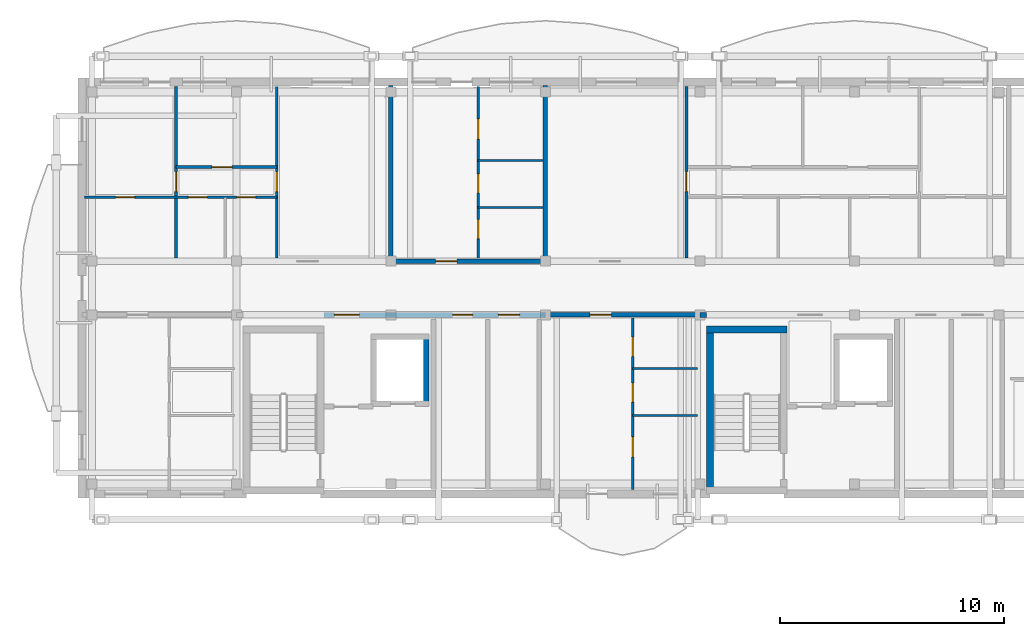
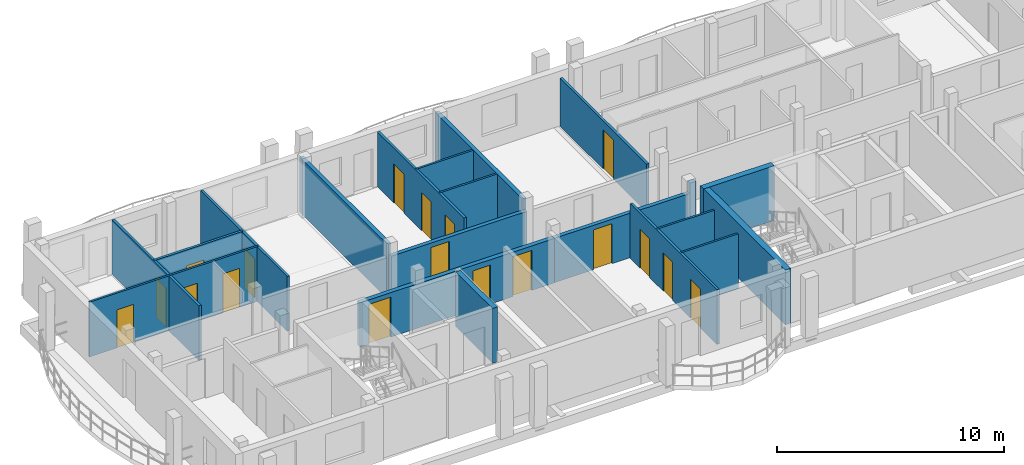
# One storey, part 21 of 44: 20 walls, 18 doors, 18 openings.
"""IFC4 building model written with IfcOpenShell, lengths in metres."""

from ifc_helpers import new_model, si_unit, direction, frame, frame_2d, origin, origin_with_axes, place, context, subcontext, project, spatial, rectangle, extrude, material, layer, layer_set, type_object, element, fill, save


model = new_model("IFC4")

# Units and contexts
model_context = context("Model", 3, precision=1e-05, world=origin(), true_north=direction((0.0, 1.0)))
body_context = subcontext(model_context, "Body", "Model", "MODEL_VIEW")
ifc_project = project(units=[si_unit("LENGTHUNIT", "METRE"), si_unit("AREAUNIT", "SQUARE_METRE"), si_unit("VOLUMEUNIT", "CUBIC_METRE"), si_unit("PLANEANGLEUNIT", "RADIAN"), si_unit("MASSUNIT", "GRAM", prefix="KILO")], contexts=[model_context])

# Site, building, storey
site_placement = place(None, origin())
site = spatial("IfcSite", under=ifc_project, at=site_placement, CompositionType="ELEMENT")
building_placement = place(site_placement, origin())
building = spatial("IfcBuilding", under=site, at=building_placement, Name="Zavelmont Quarter", CompositionType="ELEMENT")
storey_placement = place(building_placement, frame((0.0, 0.0, 20.800048828125)))
storey = spatial("IfcBuildingStorey", under=building, at=storey_placement, Name="L06", CompositionType="ELEMENT", Elevation=20.800048828125)

# Walls
ifc_material_1 = material(Name="Calcium-silicate blockwork and acoustic plaster", Category="masonry")
ifc_layer_1 = layer(ifc_material_1, 0.199951171875)
ifc_layer_set_1 = layer_set([ifc_layer_1], Name="Calcium-silicate blockwork and acoustic plaster")
wall_type_1 = type_object("IfcWallType", Name="IW01", PredefinedType="PARTITIONING", material=ifc_layer_set_1)
for number, where, z_axis, x_axis, name in (
    (1, (13.800048828125, 108.14990234375, 0.0), (0.0, 0.0, 1.0), (0.0, 1.0, 0.0), "L06 Inter-dwelling compartment wall IW01"),
    (2, (20.699951171875, 108.14990234375, 0.0), (0.0, 0.0, 1.0), (0.0, 1.0, 0.0), "L06 Inter-dwelling compartment wall IW01"),
):
    element("IfcWall", number, at=place(storey_placement, frame(where, z_axis=z_axis, x_axis=x_axis)), inside=storey, type_object=wall_type_1, Name=name, PredefinedType="PARTITIONING", context=body_context, shape_type="SweptSolid", body=[
        extrude(rectangle(XDim=7.7001953125, YDim=0.199951171875, at=frame_2d((3.85009765625, 0.0))), origin(), (0.0, 0.0, 1.0), 2.949951171875),
    ])

# Wall, opening, door
wall_1_placement = place(storey_placement, frame((13.800048828125, 108.0, 0.0), z_axis=(0.0, 0.0, 1.0), x_axis=(1.0, 0.0, 0.0)))
wall_1 = element("IfcWall", 3, at=wall_1_placement, inside=storey, type_object=wall_type_1, Name="L06 Corridor compartment wall IW01", PredefinedType="PARTITIONING", context=body_context, shape_type="SweptSolid", body=[
    extrude(rectangle(XDim=6.89990234375, YDim=0.199951171875, at=frame_2d((3.449951171875, 0.0))), origin(), (0.0, 0.0, 1.0), 2.389892578125),
])
opening_1_placement = place(wall_1_placement, frame((2.0, 0.0, 0.0)))
opening_1 = element("IfcOpeningElement", 4, at=opening_1_placement, cuts=wall_1, Name="Opening DR02", PredefinedType="OPENING", context=body_context, shape_type="SweptSolid", body=[
    extrude(rectangle(XDim=0.949951171875, YDim=2.14990234375, at=frame_2d((0.47509765625, 1.074951171875))), frame((0.0, 0.11181640625, 0.0), z_axis=(0.0, -1.0, 0.0), x_axis=(1.0, 0.0, 0.0)), (0.0, 0.0, 1.0), 0.223876953125),
])
ifc_material_2 = material(Name="Solid-core oak fire leaf in steel frame", Category="steel")
door_type_1 = type_object("IfcDoorType", Name="DR02", OperationType="NOTDEFINED", PredefinedType="DOOR", material=ifc_material_2)
door_1_placement = place(opening_1_placement, origin_with_axes())
door_1 = element("IfcDoor", 5, at=door_1_placement, inside=storey, type_object=door_type_1, Name="L06 door DR02", OperationType="SINGLE_SWING_LEFT", OverallHeight=2.14990234375, OverallWidth=0.949951171875, PredefinedType="DOOR", context=body_context, shape_type="SweptSolid", body=[
    extrude(rectangle(XDim=0.949951171875, YDim=2.14990234375, at=frame_2d((0.47509765625, 1.074951171875))), frame((0.0, 0.02490234375, 0.0), z_axis=(0.0, -1.0, 0.0), x_axis=(1.0, 0.0, 0.0)), (0.0, 0.0, 1.0), 0.050048828125),
])
fill(opening_1, door_1)

wall_2_placement = place(storey_placement, frame((20.699951171875, 105.60009765625, 0.0), z_axis=(0.0, 0.0, 1.0), x_axis=(1.0, 0.0, 0.0)))
wall_2 = element("IfcWall", 6, at=wall_2_placement, inside=storey, type_object=wall_type_1, Name="L06 Corridor compartment wall IW01", PredefinedType="PARTITIONING", context=body_context, shape_type="SweptSolid", body=[
    extrude(rectangle(XDim=6.900146484375, YDim=0.199951171875, at=frame_2d((3.4501953125, 0.0))), origin(), (0.0, 0.0, 1.0), 2.389892578125),
])
opening_2_placement = place(wall_2_placement, frame((2.0, 0.0, 0.0)))
opening_2 = element("IfcOpeningElement", 7, at=opening_2_placement, cuts=wall_2, Name="Opening DR02", PredefinedType="OPENING", context=body_context, shape_type="SweptSolid", body=[
    extrude(rectangle(XDim=0.949951171875, YDim=2.14990234375, at=frame_2d((0.47509765625, 1.074951171875))), frame((0.0, 0.11181640625, 0.0), z_axis=(0.0, -1.0, 0.0), x_axis=(1.0, 0.0, 0.0)), (0.0, 0.0, 1.0), 0.223876953125),
])
door_2_placement = place(opening_2_placement, frame((0.949951171875, 0.0, 0.0), z_axis=(0.0, 0.0, 1.0), x_axis=(-1.0, 0.0, 0.0)))
door_2 = element("IfcDoor", 8, at=door_2_placement, inside=storey, type_object=door_type_1, Name="L06 door DR02", OperationType="SINGLE_SWING_LEFT", OverallHeight=2.14990234375, OverallWidth=0.949951171875, PredefinedType="DOOR", context=body_context, shape_type="SweptSolid", body=[
    extrude(rectangle(XDim=0.949951171875, YDim=2.14990234375, at=frame_2d((0.47509765625, 1.074951171875))), frame((0.0, 0.02490234375, 0.0), z_axis=(0.0, -1.0, 0.0), x_axis=(1.0, 0.0, 0.0)), (0.0, 0.0, 1.0), 0.050048828125),
])
fill(opening_2, door_2)

# Wall, openings, doors
ifc_material_3 = material(Name="Reinforced masonry fire compartment wall", Category="masonry")
ifc_layer_2 = layer(ifc_material_3, 0.22509765625)
ifc_layer_set_2 = layer_set([ifc_layer_2], Name="Reinforced masonry fire compartment wall")
wall_type_2 = type_object("IfcWallType", Name="IW02", PredefinedType="PARTITIONING", material=ifc_layer_set_2)
wall_3_placement = place(storey_placement, frame((10.800048828125, 105.60009765625, 0.0), z_axis=(0.0, 0.0, 1.0), x_axis=(1.0, 0.0, 0.0)))
wall_3 = element("IfcWall", 9, at=wall_3_placement, inside=storey, type_object=wall_type_2, Name="L06 Core corridor fire wall IW02", PredefinedType="PARTITIONING", context=body_context, shape_type="SweptSolid", body=[
    extrude(rectangle(XDim=9.89990234375, YDim=0.22509765625, at=frame_2d((4.949951171875, 0.0))), origin(), (0.0, 0.0, 1.0), 2.389892578125),
])
opening_3_placement = place(wall_3_placement, frame((0.47509765625, 0.0, 0.0)))
opening_3 = element("IfcOpeningElement", 10, at=opening_3_placement, cuts=wall_3, Name="Opening DR10", PredefinedType="OPENING", context=body_context, shape_type="SweptSolid", body=[
    extrude(rectangle(XDim=1.10009765625, YDim=2.14990234375, at=frame_2d((0.550048828125, 1.074951171875))), frame((0.0, 0.12451171875, 0.0), z_axis=(0.0, -1.0, 0.0), x_axis=(1.0, 0.0, 0.0)), (0.0, 0.0, 1.0), 0.2490234375),
])
opening_4_placement = place(wall_3_placement, frame((5.75, 0.0, 0.0)))
opening_4 = element("IfcOpeningElement", 11, at=opening_4_placement, cuts=wall_3, Name="Opening DR11", PredefinedType="OPENING", context=body_context, shape_type="SweptSolid", body=[
    extrude(rectangle(XDim=0.89990234375, YDim=2.10009765625, at=frame_2d((0.449951171875, 1.050048828125))), frame((0.0, 0.12451171875, 0.0), z_axis=(0.0, -1.0, 0.0), x_axis=(1.0, 0.0, 0.0)), (0.0, 0.0, 1.0), 0.2490234375),
])
opening_5_placement = place(wall_3_placement, frame((7.800048828125, 0.0, 0.0)))
opening_5 = element("IfcOpeningElement", 12, at=opening_5_placement, cuts=wall_3, Name="Opening DR02", PredefinedType="OPENING", context=body_context, shape_type="SweptSolid", body=[
    extrude(rectangle(XDim=0.949951171875, YDim=2.14990234375, at=frame_2d((0.47509765625, 1.074951171875))), frame((0.0, 0.12451171875, 0.0), z_axis=(0.0, -1.0, 0.0), x_axis=(1.0, 0.0, 0.0)), (0.0, 0.0, 1.0), 0.2490234375),
])
door_3_placement = place(opening_5_placement, origin_with_axes())
door_3 = element("IfcDoor", 13, at=door_3_placement, inside=storey, type_object=door_type_1, Name="Auxiliary store corridor door", OperationType="SINGLE_SWING_RIGHT", OverallHeight=2.14990234375, OverallWidth=0.949951171875, PredefinedType="DOOR", context=body_context, shape_type="SweptSolid", body=[
    extrude(rectangle(XDim=0.949951171875, YDim=2.14990234375, at=frame_2d((0.47509765625, 1.074951171875))), frame((0.0, 0.02490234375, 0.0), z_axis=(0.0, -1.0, 0.0), x_axis=(1.0, 0.0, 0.0)), (0.0, 0.0, 1.0), 0.050048828125),
])
fill(opening_5, door_3)
ifc_material_4 = material(Name="Painted steel lobby fire door", Category="steel")
door_type_2 = type_object("IfcDoorType", Name="DR10", OperationType="NOTDEFINED", PredefinedType="DOOR", material=ifc_material_4)
door_4_placement = place(opening_3_placement, frame((1.10009765625, 0.0, 0.0), z_axis=(0.0, 0.0, 1.0), x_axis=(-1.0, 0.0, 0.0)))
door_4 = element("IfcDoor", 14, at=door_4_placement, inside=storey, type_object=door_type_2, Name="Core vestibule fire door", OperationType="SINGLE_SWING_LEFT", OverallHeight=2.14990234375, OverallWidth=1.10009765625, PredefinedType="DOOR", context=body_context, shape_type="SweptSolid", body=[
    extrude(rectangle(XDim=1.10009765625, YDim=2.14990234375, at=frame_2d((0.550048828125, 1.074951171875))), frame((0.0, 0.02490234375, 0.0), z_axis=(0.0, -1.0, 0.0), x_axis=(1.0, 0.0, 0.0)), (0.0, 0.0, 1.0), 0.050048828125),
])
fill(opening_3, door_4)
ifc_material_5 = material(Name="Painted steel service-riser fire door", Category="steel")
door_type_3 = type_object("IfcDoorType", Name="DR11", OperationType="NOTDEFINED", PredefinedType="DOOR", material=ifc_material_5)
door_5_placement = place(opening_4_placement, origin_with_axes())
door_5 = element("IfcDoor", 15, at=door_5_placement, inside=storey, type_object=door_type_3, Name="Service riser fire door", OperationType="SINGLE_SWING_LEFT", OverallHeight=2.10009765625, OverallWidth=0.89990234375, PredefinedType="DOOR", context=body_context, shape_type="SweptSolid", body=[
    extrude(rectangle(XDim=0.89990234375, YDim=2.10009765625, at=frame_2d((0.449951171875, 1.050048828125))), frame((0.0, 0.02490234375, 0.0), z_axis=(0.0, -1.0, 0.0), x_axis=(1.0, 0.0, 0.0)), (0.0, 0.0, 1.0), 0.050048828125),
])
fill(opening_4, door_5)

# Wall
wall_4_placement = place(storey_placement, frame((27.60009765625, 105.60009765625, 0.0), z_axis=(0.0, 0.0, 1.0), x_axis=(1.0, 0.0, 0.0)))
element("IfcWall", 16, at=wall_4_placement, inside=storey, type_object=wall_type_2, Name="L06 Core corridor wall IW02", PredefinedType="PARTITIONING", context=body_context, shape_type="SweptSolid", body=[
    extrude(rectangle(XDim=0.2998046875, YDim=0.22509765625, at=frame_2d((0.14990234375, 0.0))), origin(), (0.0, 0.0, 1.0), 2.949951171875),
])

# Wall, opening, door
ifc_material_6 = material(Name="Double gypsum board on acoustic steel stud", Category="steel")
ifc_layer_3 = layer(ifc_material_6, 0.125)
ifc_layer_set_3 = layer_set([ifc_layer_3], Name="Double gypsum board on acoustic steel stud")
wall_type_3 = type_object("IfcWallType", Name="IW03", PredefinedType="PARTITIONING", material=ifc_layer_set_3)
wall_5_placement = place(storey_placement, frame((8.699951171875, 108.14990234375, 0.0), z_axis=(0.0, 0.0, 1.0), x_axis=(0.0, 1.0, 0.0)))
wall_5 = element("IfcWall", 17, at=wall_5_placement, inside=storey, type_object=wall_type_3, Name="L06 Partition IW03", PredefinedType="PARTITIONING", context=body_context, shape_type="SweptSolid", body=[
    extrude(rectangle(XDim=7.650146484375, YDim=0.125, at=frame_2d((3.8251953125, 0.0))), origin(), (0.0, 0.0, 1.0), 2.949951171875),
])
opening_6_placement = place(wall_5_placement, frame((2.949951171875, 0.0, 0.0)))
opening_6 = element("IfcOpeningElement", 18, at=opening_6_placement, cuts=wall_5, Name="Opening DR05", PredefinedType="OPENING", context=body_context, shape_type="SweptSolid", body=[
    extrude(rectangle(XDim=0.89990234375, YDim=2.10009765625, at=frame_2d((0.449951171875, 1.050048828125))), frame((0.0, 0.074462890625, 0.0), z_axis=(0.0, -1.0, 0.0), x_axis=(1.0, 0.0, 0.0)), (0.0, 0.0, 1.0), 0.14892578125),
])
ifc_material_7 = material(Name="Engineered oak flush interior door")
door_type_4 = type_object("IfcDoorType", Name="DR05", OperationType="NOTDEFINED", PredefinedType="DOOR", material=ifc_material_7)
door_6_placement = place(opening_6_placement, frame((0.89990234375, 0.0, 0.0), z_axis=(0.0, 0.0, 1.0), x_axis=(-1.0, 0.0, 0.0)))
door_6 = element("IfcDoor", 19, at=door_6_placement, inside=storey, type_object=door_type_4, Name="L06 door DR05", OperationType="SINGLE_SWING_LEFT", OverallHeight=2.10009765625, OverallWidth=0.89990234375, PredefinedType="DOOR", context=body_context, shape_type="SweptSolid", body=[
    extrude(rectangle(XDim=0.89990234375, YDim=2.10009765625, at=frame_2d((0.449951171875, 1.050048828125))), frame((0.0, 0.02490234375, 0.0), z_axis=(0.0, -1.0, 0.0), x_axis=(1.0, 0.0, 0.0)), (0.0, 0.0, 1.0), 0.050048828125),
])
fill(opening_6, door_6)

wall_6_placement = place(storey_placement, frame((4.199951171875, 108.14990234375, 0.0), z_axis=(0.0, 0.0, 1.0), x_axis=(0.0, 1.0, 0.0)))
wall_6 = element("IfcWall", 20, at=wall_6_placement, inside=storey, type_object=wall_type_3, Name="L06 Partition IW03", PredefinedType="PARTITIONING", context=body_context, shape_type="SweptSolid", body=[
    extrude(rectangle(XDim=7.650146484375, YDim=0.125, at=frame_2d((3.8251953125, 0.0))), origin(), (0.0, 0.0, 1.0), 2.949951171875),
])
opening_7_placement = place(wall_6_placement, frame((2.949951171875, 0.0, 0.0)))
opening_7 = element("IfcOpeningElement", 21, at=opening_7_placement, cuts=wall_6, Name="Opening DR05", PredefinedType="OPENING", context=body_context, shape_type="SweptSolid", body=[
    extrude(rectangle(XDim=0.89990234375, YDim=2.10009765625, at=frame_2d((0.449951171875, 1.050048828125))), frame((0.0, 0.074462890625, 0.0), z_axis=(0.0, -1.0, 0.0), x_axis=(1.0, 0.0, 0.0)), (0.0, 0.0, 1.0), 0.14892578125),
])
door_7_placement = place(opening_7_placement, origin_with_axes())
door_7 = element("IfcDoor", 22, at=door_7_placement, inside=storey, type_object=door_type_4, Name="L06 door DR05", OperationType="SINGLE_SWING_RIGHT", OverallHeight=2.10009765625, OverallWidth=0.89990234375, PredefinedType="DOOR", context=body_context, shape_type="SweptSolid", body=[
    extrude(rectangle(XDim=0.89990234375, YDim=2.10009765625, at=frame_2d((0.449951171875, 1.050048828125))), frame((0.0, 0.02490234375, 0.0), z_axis=(0.0, -1.0, 0.0), x_axis=(1.0, 0.0, 0.0)), (0.0, 0.0, 1.0), 0.050048828125),
])
fill(opening_7, door_7)

wall_7_placement = place(storey_placement, frame((4.199951171875, 112.199951171875, 0.0), z_axis=(0.0, 0.0, 1.0), x_axis=(1.0, 0.0, 0.0)))
wall_7 = element("IfcWall", 23, at=wall_7_placement, inside=storey, type_object=wall_type_3, Name="L06 Partition IW03", PredefinedType="PARTITIONING", context=body_context, shape_type="SweptSolid", body=[
    extrude(rectangle(XDim=4.5, YDim=0.125, at=frame_2d((2.25, 0.0))), origin(), (0.0, 0.0, 1.0), 2.949951171875),
])
opening_8_placement = place(wall_7_placement, frame((1.60009765625, 0.0, 0.0)))
opening_8 = element("IfcOpeningElement", 24, at=opening_8_placement, cuts=wall_7, Name="Opening DR05", PredefinedType="OPENING", context=body_context, shape_type="SweptSolid", body=[
    extrude(rectangle(XDim=0.89990234375, YDim=2.10009765625, at=frame_2d((0.449951171875, 1.050048828125))), frame((0.0, 0.074462890625, 0.0), z_axis=(0.0, -1.0, 0.0), x_axis=(1.0, 0.0, 0.0)), (0.0, 0.0, 1.0), 0.14892578125),
])
door_8_placement = place(opening_8_placement, origin_with_axes())
door_8 = element("IfcDoor", 25, at=door_8_placement, inside=storey, type_object=door_type_4, Name="L06 door DR05", OperationType="SINGLE_SWING_RIGHT", OverallHeight=2.10009765625, OverallWidth=0.89990234375, PredefinedType="DOOR", context=body_context, shape_type="SweptSolid", body=[
    extrude(rectangle(XDim=0.89990234375, YDim=2.10009765625, at=frame_2d((0.449951171875, 1.050048828125))), frame((0.0, 0.02490234375, 0.0), z_axis=(0.0, -1.0, 0.0), x_axis=(1.0, 0.0, 0.0)), (0.0, 0.0, 1.0), 0.050048828125),
])
fill(opening_8, door_8)

# Wall, openings, doors
wall_8_placement = place(storey_placement, frame((17.699951171875, 108.14990234375, 0.0), z_axis=(0.0, 0.0, 1.0), x_axis=(0.0, 1.0, 0.0)))
wall_8 = element("IfcWall", 26, at=wall_8_placement, inside=storey, type_object=wall_type_3, Name="L06 Partition IW03", PredefinedType="PARTITIONING", context=body_context, shape_type="SweptSolid", body=[
    extrude(rectangle(XDim=7.650146484375, YDim=0.125, at=frame_2d((3.8251953125, 0.0))), origin(), (0.0, 0.0, 1.0), 2.949951171875),
])
opening_9_placement = place(wall_8_placement, frame((0.85009765625, 0.0, 0.0)))
opening_9 = element("IfcOpeningElement", 27, at=opening_9_placement, cuts=wall_8, Name="Opening DR16", PredefinedType="OPENING", context=body_context, shape_type="SweptSolid", body=[
    extrude(rectangle(XDim=0.85009765625, YDim=2.10009765625, at=frame_2d((0.425048828125, 1.050048828125))), frame((0.0, 0.074462890625, 0.0), z_axis=(0.0, -1.0, 0.0), x_axis=(1.0, 0.0, 0.0)), (0.0, 0.0, 1.0), 0.14892578125),
])
opening_10_placement = place(wall_8_placement, frame((2.89990234375, 0.0, 0.0)))
opening_10 = element("IfcOpeningElement", 28, at=opening_10_placement, cuts=wall_8, Name="Opening DR06", PredefinedType="OPENING", context=body_context, shape_type="SweptSolid", body=[
    extrude(rectangle(XDim=0.85009765625, YDim=2.050048828125, at=frame_2d((0.425048828125, 1.02490234375))), frame((0.0, 0.074462890625, 0.0), z_axis=(0.0, -1.0, 0.0), x_axis=(1.0, 0.0, 0.0)), (0.0, 0.0, 1.0), 0.14892578125),
])
opening_11_placement = place(wall_8_placement, frame((5.300048828125, 0.0, 0.0)))
opening_11 = element("IfcOpeningElement", 29, at=opening_11_placement, cuts=wall_8, Name="Opening DR05", PredefinedType="OPENING", context=body_context, shape_type="SweptSolid", body=[
    extrude(rectangle(XDim=0.89990234375, YDim=2.10009765625, at=frame_2d((0.449951171875, 1.050048828125))), frame((0.0, 0.074462890625, 0.0), z_axis=(0.0, -1.0, 0.0), x_axis=(1.0, 0.0, 0.0)), (0.0, 0.0, 1.0), 0.14892578125),
])
door_9_placement = place(opening_11_placement, origin_with_axes())
door_9 = element("IfcDoor", 30, at=door_9_placement, inside=storey, type_object=door_type_4, Name="L06 door DR05", OperationType="SINGLE_SWING_LEFT", OverallHeight=2.10009765625, OverallWidth=0.89990234375, PredefinedType="DOOR", context=body_context, shape_type="SweptSolid", body=[
    extrude(rectangle(XDim=0.89990234375, YDim=2.10009765625, at=frame_2d((0.449951171875, 1.050048828125))), frame((0.0, 0.02490234375, 0.0), z_axis=(0.0, -1.0, 0.0), x_axis=(1.0, 0.0, 0.0)), (0.0, 0.0, 1.0), 0.050048828125),
])
fill(opening_11, door_9)
ifc_material_8 = material(Name="Moisture-resistant painted wet-room door")
door_type_5 = type_object("IfcDoorType", Name="DR06", OperationType="NOTDEFINED", PredefinedType="DOOR", material=ifc_material_8)
door_10_placement = place(opening_10_placement, frame((0.85009765625, 0.0, 0.0), z_axis=(0.0, 0.0, 1.0), x_axis=(-1.0, 0.0, 0.0)))
door_10 = element("IfcDoor", 31, at=door_10_placement, inside=storey, type_object=door_type_5, Name="L06 door DR06", OperationType="SINGLE_SWING_RIGHT", OverallHeight=2.050048828125, OverallWidth=0.85009765625, PredefinedType="DOOR", context=body_context, shape_type="SweptSolid", body=[
    extrude(rectangle(XDim=0.85009765625, YDim=2.050048828125, at=frame_2d((0.425048828125, 1.02490234375))), frame((0.0, 0.02490234375, 0.0), z_axis=(0.0, -1.0, 0.0), x_axis=(1.0, 0.0, 0.0)), (0.0, 0.0, 1.0), 0.050048828125),
])
fill(opening_10, door_10)
door_type_6 = type_object("IfcDoorType", Name="DR16", OperationType="NOTDEFINED", PredefinedType="DOOR", material=ifc_material_7)
door_11_placement = place(opening_9_placement, origin_with_axes())
door_11 = element("IfcDoor", 32, at=door_11_placement, inside=storey, type_object=door_type_6, Name="L06 door DR16", OperationType="SINGLE_SWING_LEFT", OverallHeight=2.10009765625, OverallWidth=0.85009765625, PredefinedType="DOOR", context=body_context, shape_type="SweptSolid", body=[
    extrude(rectangle(XDim=0.85009765625, YDim=2.10009765625, at=frame_2d((0.425048828125, 1.050048828125))), frame((0.0, 0.02490234375, 0.0), z_axis=(0.0, -1.0, 0.0), x_axis=(1.0, 0.0, 0.0)), (0.0, 0.0, 1.0), 0.050048828125),
])
fill(opening_9, door_11)

# Wall, opening, door
wall_9_placement = place(storey_placement, frame((27.0, 108.14990234375, 0.0), z_axis=(0.0, 0.0, 1.0), x_axis=(0.0, 1.0, 0.0)))
wall_9 = element("IfcWall", 33, at=wall_9_placement, inside=storey, type_object=wall_type_3, Name="L06 Partition IW03", PredefinedType="PARTITIONING", context=body_context, shape_type="SweptSolid", body=[
    extrude(rectangle(XDim=7.650146484375, YDim=0.125, at=frame_2d((3.8251953125, 0.0))), origin(), (0.0, 0.0, 1.0), 2.58984375),
])
opening_12_placement = place(wall_9_placement, frame((2.949951171875, 0.0, 0.0)))
opening_12 = element("IfcOpeningElement", 34, at=opening_12_placement, cuts=wall_9, Name="Opening DR05", PredefinedType="OPENING", context=body_context, shape_type="SweptSolid", body=[
    extrude(rectangle(XDim=0.89990234375, YDim=2.10009765625, at=frame_2d((0.449951171875, 1.050048828125))), frame((0.0, 0.074462890625, 0.0), z_axis=(0.0, -1.0, 0.0), x_axis=(1.0, 0.0, 0.0)), (0.0, 0.0, 1.0), 0.14892578125),
])
door_12_placement = place(opening_12_placement, origin_with_axes())
door_12 = element("IfcDoor", 35, at=door_12_placement, inside=storey, type_object=door_type_4, Name="L06 door DR05", OperationType="SINGLE_SWING_RIGHT", OverallHeight=2.10009765625, OverallWidth=0.89990234375, PredefinedType="DOOR", context=body_context, shape_type="SweptSolid", body=[
    extrude(rectangle(XDim=0.89990234375, YDim=2.10009765625, at=frame_2d((0.449951171875, 1.050048828125))), frame((0.0, 0.02490234375, 0.0), z_axis=(0.0, -1.0, 0.0), x_axis=(1.0, 0.0, 0.0)), (0.0, 0.0, 1.0), 0.050048828125),
])
fill(opening_12, door_12)

# Wall, openings, doors
wall_10_placement = place(storey_placement, frame((24.60009765625, 105.449951171875, 0.0), z_axis=(0.0, 0.0, 1.0), x_axis=(0.0, -1.0, 0.0)))
wall_10 = element("IfcWall", 36, at=wall_10_placement, inside=storey, type_object=wall_type_3, Name="L06 Partition IW03", PredefinedType="PARTITIONING", context=body_context, shape_type="SweptSolid", body=[
    extrude(rectangle(XDim=7.64990234375, YDim=0.125, at=frame_2d((3.824951171875, 0.0))), origin(), (0.0, 0.0, 1.0), 2.949951171875),
])
opening_13_placement = place(wall_10_placement, frame((0.85009765625, 0.0, 0.0)))
opening_13 = element("IfcOpeningElement", 37, at=opening_13_placement, cuts=wall_10, Name="Opening DR16", PredefinedType="OPENING", context=body_context, shape_type="SweptSolid", body=[
    extrude(rectangle(XDim=0.85009765625, YDim=2.10009765625, at=frame_2d((0.425048828125, 1.050048828125))), frame((0.0, 0.074462890625, 0.0), z_axis=(0.0, -1.0, 0.0), x_axis=(1.0, 0.0, 0.0)), (0.0, 0.0, 1.0), 0.14892578125),
])
opening_14_placement = place(wall_10_placement, frame((2.89990234375, 0.0, 0.0)))
opening_14 = element("IfcOpeningElement", 38, at=opening_14_placement, cuts=wall_10, Name="Opening DR06", PredefinedType="OPENING", context=body_context, shape_type="SweptSolid", body=[
    extrude(rectangle(XDim=0.85009765625, YDim=2.050048828125, at=frame_2d((0.425048828125, 1.02490234375))), frame((0.0, 0.074462890625, 0.0), z_axis=(0.0, -1.0, 0.0), x_axis=(1.0, 0.0, 0.0)), (0.0, 0.0, 1.0), 0.14892578125),
])
opening_15_placement = place(wall_10_placement, frame((5.300048828125, 0.0, 0.0)))
opening_15 = element("IfcOpeningElement", 39, at=opening_15_placement, cuts=wall_10, Name="Opening DR05", PredefinedType="OPENING", context=body_context, shape_type="SweptSolid", body=[
    extrude(rectangle(XDim=0.89990234375, YDim=2.10009765625, at=frame_2d((0.449951171875, 1.050048828125))), frame((0.0, 0.074462890625, 0.0), z_axis=(0.0, -1.0, 0.0), x_axis=(1.0, 0.0, 0.0)), (0.0, 0.0, 1.0), 0.14892578125),
])
door_13_placement = place(opening_15_placement, frame((0.89990234375, 0.0, 0.0), z_axis=(0.0, 0.0, 1.0), x_axis=(-1.0, 0.0, 0.0)))
door_13 = element("IfcDoor", 40, at=door_13_placement, inside=storey, type_object=door_type_4, Name="L06 door DR05", OperationType="SINGLE_SWING_LEFT", OverallHeight=2.10009765625, OverallWidth=0.89990234375, PredefinedType="DOOR", context=body_context, shape_type="SweptSolid", body=[
    extrude(rectangle(XDim=0.89990234375, YDim=2.10009765625, at=frame_2d((0.449951171875, 1.050048828125))), frame((0.0, 0.02490234375, 0.0), z_axis=(0.0, -1.0, 0.0), x_axis=(1.0, 0.0, 0.0)), (0.0, 0.0, 1.0), 0.050048828125),
])
fill(opening_15, door_13)
door_14_placement = place(opening_14_placement, origin_with_axes())
door_14 = element("IfcDoor", 41, at=door_14_placement, inside=storey, type_object=door_type_5, Name="L06 door DR06", OperationType="SINGLE_SWING_RIGHT", OverallHeight=2.050048828125, OverallWidth=0.85009765625, PredefinedType="DOOR", context=body_context, shape_type="SweptSolid", body=[
    extrude(rectangle(XDim=0.85009765625, YDim=2.050048828125, at=frame_2d((0.425048828125, 1.02490234375))), frame((0.0, 0.02490234375, 0.0), z_axis=(0.0, -1.0, 0.0), x_axis=(1.0, 0.0, 0.0)), (0.0, 0.0, 1.0), 0.050048828125),
])
fill(opening_14, door_14)
door_15_placement = place(opening_13_placement, frame((0.85009765625, 0.0, 0.0), z_axis=(0.0, 0.0, 1.0), x_axis=(-1.0, 0.0, 0.0)))
door_15 = element("IfcDoor", 42, at=door_15_placement, inside=storey, type_object=door_type_6, Name="L06 door DR16", OperationType="SINGLE_SWING_LEFT", OverallHeight=2.10009765625, OverallWidth=0.85009765625, PredefinedType="DOOR", context=body_context, shape_type="SweptSolid", body=[
    extrude(rectangle(XDim=0.85009765625, YDim=2.10009765625, at=frame_2d((0.425048828125, 1.050048828125))), frame((0.0, 0.02490234375, 0.0), z_axis=(0.0, -1.0, 0.0), x_axis=(1.0, 0.0, 0.0)), (0.0, 0.0, 1.0), 0.050048828125),
])
fill(opening_13, door_15)

ifc_material_9 = material(Name="Moisture-resistant gypsum board on steel stud", Category="steel")
ifc_layer_4 = layer(ifc_material_9, 0.10009765625)
ifc_layer_set_4 = layer_set([ifc_layer_4], Name="Moisture-resistant gypsum board on steel stud")
wall_type_4 = type_object("IfcWallType", Name="IW04", PredefinedType="PARTITIONING", material=ifc_layer_set_4)
wall_11_placement = place(storey_placement, frame((0.10009765625, 110.85009765625, 0.0), z_axis=(0.0, 0.0, 1.0), x_axis=(1.0, 0.0, 0.0)))
wall_11 = element("IfcWall", 43, at=wall_11_placement, inside=storey, type_object=wall_type_4, Name="L06 Partition IW04", PredefinedType="PARTITIONING", context=body_context, shape_type="SweptSolid", body=[
    extrude(rectangle(XDim=8.599853515625, YDim=0.10009765625, at=frame_2d((4.2998046875, 0.0))), origin(), (0.0, 0.0, 1.0), 2.949951171875),
])
opening_16_placement = place(wall_11_placement, frame((1.39990234375, 0.0, 0.0)))
opening_16 = element("IfcOpeningElement", 44, at=opening_16_placement, cuts=wall_11, Name="Opening DR06", PredefinedType="OPENING", context=body_context, shape_type="SweptSolid", body=[
    extrude(rectangle(XDim=0.85009765625, YDim=2.050048828125, at=frame_2d((0.425048828125, 1.02490234375))), frame((0.0, 0.06201171875, 0.0), z_axis=(0.0, -1.0, 0.0), x_axis=(1.0, 0.0, 0.0)), (0.0, 0.0, 1.0), 0.1240234375),
])
opening_17_placement = place(wall_11_placement, frame((4.64990234375, 0.0, 0.0)))
opening_17 = element("IfcOpeningElement", 45, at=opening_17_placement, cuts=wall_11, Name="Opening DR06", PredefinedType="OPENING", context=body_context, shape_type="SweptSolid", body=[
    extrude(rectangle(XDim=0.85009765625, YDim=2.050048828125, at=frame_2d((0.425048828125, 1.02490234375))), frame((0.0, 0.06201171875, 0.0), z_axis=(0.0, -1.0, 0.0), x_axis=(1.0, 0.0, 0.0)), (0.0, 0.0, 1.0), 0.1240234375),
])
opening_18_placement = place(wall_11_placement, frame((6.800048828125, 0.0, 0.0)))
opening_18 = element("IfcOpeningElement", 46, at=opening_18_placement, cuts=wall_11, Name="Opening DR16", PredefinedType="OPENING", context=body_context, shape_type="SweptSolid", body=[
    extrude(rectangle(XDim=0.85009765625, YDim=2.10009765625, at=frame_2d((0.425048828125, 1.050048828125))), frame((0.0, 0.06201171875, 0.0), z_axis=(0.0, -1.0, 0.0), x_axis=(1.0, 0.0, 0.0)), (0.0, 0.0, 1.0), 0.1240234375),
])
door_16_placement = place(opening_16_placement, frame((0.85009765625, 0.0, 0.0), z_axis=(0.0, 0.0, 1.0), x_axis=(-1.0, 0.0, 0.0)))
door_16 = element("IfcDoor", 47, at=door_16_placement, inside=storey, type_object=door_type_5, Name="L06 door DR06", OperationType="SINGLE_SWING_LEFT", OverallHeight=2.050048828125, OverallWidth=0.85009765625, PredefinedType="DOOR", context=body_context, shape_type="SweptSolid", body=[
    extrude(rectangle(XDim=0.85009765625, YDim=2.050048828125, at=frame_2d((0.425048828125, 1.02490234375))), frame((0.0, 0.02490234375, 0.0), z_axis=(0.0, -1.0, 0.0), x_axis=(1.0, 0.0, 0.0)), (0.0, 0.0, 1.0), 0.050048828125),
])
fill(opening_16, door_16)
door_17_placement = place(opening_17_placement, origin_with_axes())
door_17 = element("IfcDoor", 48, at=door_17_placement, inside=storey, type_object=door_type_5, Name="L06 door DR06", OperationType="SINGLE_SWING_RIGHT", OverallHeight=2.050048828125, OverallWidth=0.85009765625, PredefinedType="DOOR", context=body_context, shape_type="SweptSolid", body=[
    extrude(rectangle(XDim=0.85009765625, YDim=2.050048828125, at=frame_2d((0.425048828125, 1.02490234375))), frame((0.0, 0.02490234375, 0.0), z_axis=(0.0, -1.0, 0.0), x_axis=(1.0, 0.0, 0.0)), (0.0, 0.0, 1.0), 0.050048828125),
])
fill(opening_17, door_17)
door_18_placement = place(opening_18_placement, frame((0.85009765625, 0.0, 0.0), z_axis=(0.0, 0.0, 1.0), x_axis=(-1.0, 0.0, 0.0)))
door_18 = element("IfcDoor", 49, at=door_18_placement, inside=storey, type_object=door_type_6, Name="L06 door DR16", OperationType="SINGLE_SWING_LEFT", OverallHeight=2.10009765625, OverallWidth=0.85009765625, PredefinedType="DOOR", context=body_context, shape_type="SweptSolid", body=[
    extrude(rectangle(XDim=0.85009765625, YDim=2.10009765625, at=frame_2d((0.425048828125, 1.050048828125))), frame((0.0, 0.02490234375, 0.0), z_axis=(0.0, -1.0, 0.0), x_axis=(1.0, 0.0, 0.0)), (0.0, 0.0, 1.0), 0.050048828125),
])
fill(opening_18, door_18)

# Walls
for number, where, z_axis, x_axis, name in (
    (50, (17.699951171875, 110.39990234375, 0.0), (0.0, 0.0, 1.0), (1.0, 0.0, 0.0), "L06 Partition IW04"),
    (51, (17.699951171875, 112.5, 0.0), (0.0, 0.0, 1.0), (1.0, 0.0, 0.0), "L06 Partition IW04"),
):
    element("IfcWall", number, at=place(storey_placement, frame(where, z_axis=z_axis, x_axis=x_axis)), inside=storey, type_object=wall_type_4, Name=name, PredefinedType="PARTITIONING", context=body_context, shape_type="SweptSolid", body=[
        extrude(rectangle(XDim=2.900146484375, YDim=0.10009765625, at=frame_2d((1.4501953125, 0.0))), origin(), (0.0, 0.0, 1.0), 2.949951171875),
    ])
for number, where, z_axis, x_axis, name in (
    (52, (24.60009765625, 103.199951171875, 0.0), (0.0, 0.0, 1.0), (1.0, 0.0, 0.0), "L06 Partition IW04"),
    (53, (24.60009765625, 101.10009765625, 0.0), (0.0, 0.0, 1.0), (1.0, 0.0, 0.0), "L06 Partition IW04"),
):
    element("IfcWall", number, at=place(storey_placement, frame(where, z_axis=z_axis, x_axis=x_axis)), inside=storey, type_object=wall_type_4, Name=name, PredefinedType="PARTITIONING", context=body_context, shape_type="SweptSolid", body=[
        extrude(rectangle(XDim=2.89990234375, YDim=0.10009765625, at=frame_2d((1.449951171875, 0.0))), origin(), (0.0, 0.0, 1.0), 2.949951171875),
    ])
ifc_material_10 = material(Name="Concrete C40/50", Category="concrete")
ifc_layer_5 = layer(ifc_material_10, 0.300048828125)
ifc_layer_set_5 = layer_set([ifc_layer_5], Name="Concrete C40/50")
wall_type_5 = type_object("IfcWallType", Name="SW01", PredefinedType="SHEAR", material=ifc_layer_set_5)
wall_12_placement = place(storey_placement, frame((27.89990234375, 104.949951171875, 0.0), z_axis=(0.0, 0.0, 1.0), x_axis=(1.0, 0.0, 0.0)))
element("IfcWall", 54, at=wall_12_placement, inside=storey, type_object=wall_type_5, Name="L06 ST04 corridor shear wall SW01", PredefinedType="SHEAR", context=body_context, shape_type="SweptSolid", body=[
    extrude(rectangle(XDim=3.60009765625, YDim=0.300048828125, at=frame_2d((1.800048828125, 0.0))), origin(), (0.0, 0.0, 1.0), 2.949951171875),
])
wall_13_placement = place(storey_placement, frame((28.050048828125, 97.60009765625, 0.0), z_axis=(0.0, 0.0, 1.0), x_axis=(0.0, 1.0, 0.0)))
element("IfcWall", 55, at=wall_13_placement, inside=storey, type_object=wall_type_5, Name="L06 ST04 west shear wall SW01", PredefinedType="SHEAR", context=body_context, shape_type="SweptSolid", body=[
    extrude(rectangle(XDim=7.5, YDim=0.300048828125, at=frame_2d((3.75, 0.0))), origin(), (0.0, 0.0, 1.0), 2.949951171875),
])
ifc_layer_6 = layer(ifc_material_10, 0.25)
ifc_layer_set_6 = layer_set([ifc_layer_6], Name="Concrete C40/50")
wall_type_6 = type_object("IfcWallType", Name="SW02", PredefinedType="SHEAR", material=ifc_layer_set_6)
wall_14_placement = place(storey_placement, frame((15.375, 101.5, 0.0), z_axis=(0.0, 0.0, 1.0), x_axis=(0.0, 1.0, 0.0)))
element("IfcWall", 56, at=wall_14_placement, inside=storey, type_object=wall_type_6, Name="L06 Lift FL02 east shaft wall SW02", PredefinedType="SHEAR", context=body_context, shape_type="SweptSolid", body=[
    extrude(rectangle(XDim=3.25, YDim=0.25, at=frame_2d((1.625, 0.0))), origin(), (0.0, 0.0, 1.0), 2.949951171875),
])

save(model, "model.ifc")
